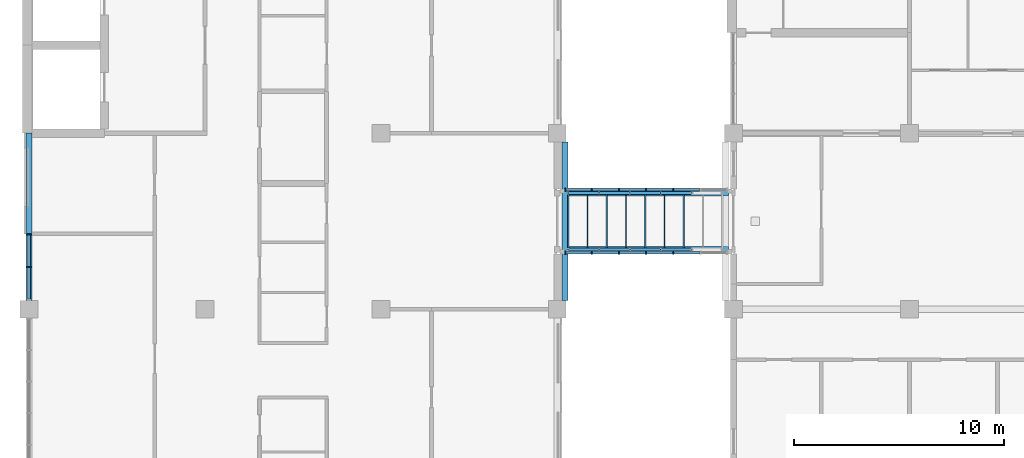
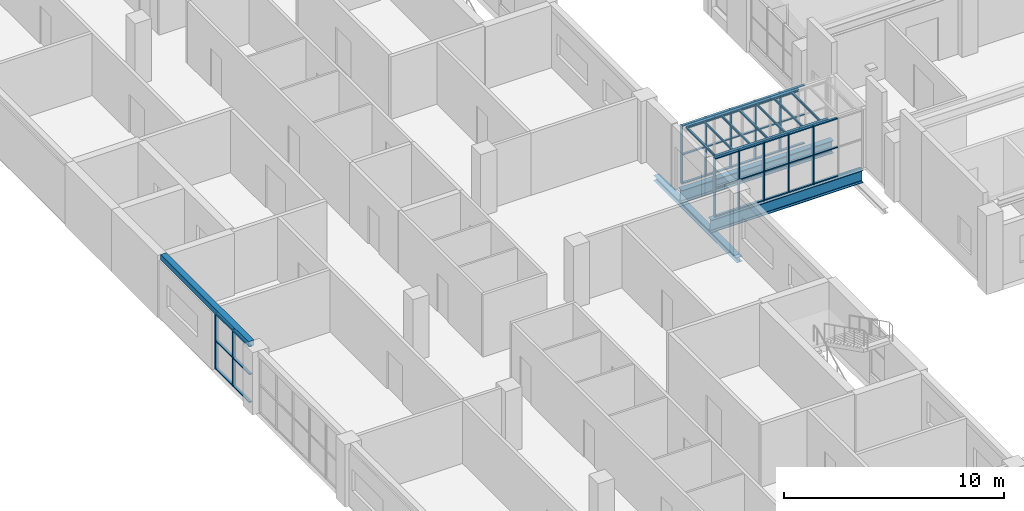
# One storey, part 27 of 94: 48 members, 19 beams, 3 elements without a shape of their own.
"""IFC4 building model written with IfcOpenShell, lengths in metres."""

from ifc_helpers import new_model, si_unit, direction, frame, origin, origin_2d, place, context, subcontext, project, spatial, rectangle, i_section, extrude, material, material_profile, profile_set, type_object, element, aggregate, save


model = new_model("IFC4")

# Units and contexts
model_context = context("Model", 3, precision=1e-05, world=origin(), true_north=direction((0.0, 1.0)))
body_context = subcontext(model_context, "Body", "Model", "MODEL_VIEW")
ifc_project = project(units=[si_unit("LENGTHUNIT", "METRE"), si_unit("AREAUNIT", "SQUARE_METRE"), si_unit("VOLUMEUNIT", "CUBIC_METRE"), si_unit("PLANEANGLEUNIT", "RADIAN"), si_unit("MASSUNIT", "GRAM", prefix="KILO")], contexts=[model_context])

# Site, building, storey
site_placement = place(None, origin())
site = spatial("IfcSite", under=ifc_project, at=site_placement, CompositionType="ELEMENT")
building_placement = place(site_placement, origin())
building = spatial("IfcBuilding", under=site, at=building_placement, Name="Yavir Park General Hospital", CompositionType="ELEMENT")
storey_placement = place(building_placement, frame((0.0, 0.0, 4.5)))
storey = spatial("IfcBuildingStorey", under=building, at=storey_placement, Name="L01", CompositionType="ELEMENT", Elevation=4.5)

# Curtain wall, members
ifc_material_1 = material(Name="Aluminium curtain wall frame with insulated glazing", Category="aluminium")
curtain_wall_type_1 = type_object("IfcCurtainWallType", Name="Bridge enclosure glazing, 3250 high, 1400 module", PredefinedType="NOTDEFINED", material=ifc_material_1)
curtain_wall_1_placement = place(storey_placement, origin())
curtain_wall_1 = element("IfcCurtainWall", 1, at=curtain_wall_1_placement, inside=storey, type_object=curtain_wall_type_1, Name="CW41 L01-007", PredefinedType="NOTDEFINED")
ifc_material_2 = material(Name="Aluminium", Category="aluminium")
ifc_material_profile_1 = material_profile(ifc_material_2, rectangle(XDim=0.159912109375, YDim=0.06005859375, at=origin_2d()), Name="AL 60x160")
ifc_profile_set_1 = profile_set([ifc_material_profile_1], Name="Aluminium")
member_type_1 = type_object("IfcMemberType", Name="Bridge enclosure glazing, 3250 high mullion 60 x 160", PredefinedType="MULLION", material=ifc_profile_set_1)
member_1_placement = place(storey_placement, frame((25.580078125, 61.5, 0.0), z_axis=(0.0, 0.0, 1.0), x_axis=(0.0, 1.0, 0.0)))
member_1 = element("IfcMember", 2, at=member_1_placement, type_object=member_type_1, Name="CW41 mullion 1", PredefinedType="MULLION", context=body_context, shape_type="SweptSolid", body=[
    extrude(rectangle(XDim=0.159912109375, YDim=0.06005859375, at=origin_2d()), origin(), (0.0, 0.0, 1.0), 3.25),
])
member_2_placement = place(storey_placement, frame((26.845947265625, 61.5, 0.0), z_axis=(0.0, 0.0, 1.0), x_axis=(0.0, 1.0, 0.0)))
member_2 = element("IfcMember", 3, at=member_2_placement, type_object=member_type_1, Name="CW41 mullion 2", PredefinedType="MULLION", context=body_context, shape_type="SweptSolid", body=[
    extrude(rectangle(XDim=0.159912109375, YDim=0.06005859375, at=origin_2d()), origin(), (0.0, 0.0, 1.0), 3.25),
])
member_3_placement = place(storey_placement, frame((28.1416015625, 61.5, 0.0), z_axis=(0.0, 0.0, 1.0), x_axis=(0.0, 1.0, 0.0)))
member_3 = element("IfcMember", 4, at=member_3_placement, type_object=member_type_1, Name="CW41 mullion 3", PredefinedType="MULLION", context=body_context, shape_type="SweptSolid", body=[
    extrude(rectangle(XDim=0.159912109375, YDim=0.06005859375, at=origin_2d()), origin(), (0.0, 0.0, 1.0), 3.25),
])
member_4_placement = place(storey_placement, frame((29.4375, 61.5, 0.0), z_axis=(0.0, 0.0, 1.0), x_axis=(0.0, 1.0, 0.0)))
member_4 = element("IfcMember", 5, at=member_4_placement, type_object=member_type_1, Name="CW41 mullion 4", PredefinedType="MULLION", context=body_context, shape_type="SweptSolid", body=[
    extrude(rectangle(XDim=0.159912109375, YDim=0.06005859375, at=origin_2d()), origin(), (0.0, 0.0, 1.0), 3.25),
])
member_5_placement = place(storey_placement, frame((30.7333984375, 61.5, 0.0), z_axis=(0.0, 0.0, 1.0), x_axis=(0.0, 1.0, 0.0)))
member_5 = element("IfcMember", 6, at=member_5_placement, type_object=member_type_1, Name="CW41 mullion 5", PredefinedType="MULLION", context=body_context, shape_type="SweptSolid", body=[
    extrude(rectangle(XDim=0.159912109375, YDim=0.06005859375, at=origin_2d()), origin(), (0.0, 0.0, 1.0), 3.25),
])

curtain_wall_2_placement = place(storey_placement, origin())
curtain_wall_2 = element("IfcCurtainWall", 7, at=curtain_wall_2_placement, inside=storey, type_object=curtain_wall_type_1, Name="CW41 L01-008", PredefinedType="NOTDEFINED")
member_6_placement = place(storey_placement, frame((25.580078125, 64.5, 0.0), z_axis=(0.0, 0.0, 1.0), x_axis=(0.0, 1.0, 0.0)))
member_6 = element("IfcMember", 8, at=member_6_placement, type_object=member_type_1, Name="CW41 mullion 1", PredefinedType="MULLION", context=body_context, shape_type="SweptSolid", body=[
    extrude(rectangle(XDim=0.159912109375, YDim=0.06005859375, at=origin_2d()), origin(), (0.0, 0.0, 1.0), 3.25),
])
member_7_placement = place(storey_placement, frame((26.845947265625, 64.5, 0.0), z_axis=(0.0, 0.0, 1.0), x_axis=(0.0, 1.0, 0.0)))
member_7 = element("IfcMember", 9, at=member_7_placement, type_object=member_type_1, Name="CW41 mullion 2", PredefinedType="MULLION", context=body_context, shape_type="SweptSolid", body=[
    extrude(rectangle(XDim=0.159912109375, YDim=0.06005859375, at=origin_2d()), origin(), (0.0, 0.0, 1.0), 3.25),
])
member_8_placement = place(storey_placement, frame((28.1416015625, 64.5, 0.0), z_axis=(0.0, 0.0, 1.0), x_axis=(0.0, 1.0, 0.0)))
member_8 = element("IfcMember", 10, at=member_8_placement, type_object=member_type_1, Name="CW41 mullion 3", PredefinedType="MULLION", context=body_context, shape_type="SweptSolid", body=[
    extrude(rectangle(XDim=0.159912109375, YDim=0.06005859375, at=origin_2d()), origin(), (0.0, 0.0, 1.0), 3.25),
])
member_9_placement = place(storey_placement, frame((29.4375, 64.5, 0.0), z_axis=(0.0, 0.0, 1.0), x_axis=(0.0, 1.0, 0.0)))
member_9 = element("IfcMember", 11, at=member_9_placement, type_object=member_type_1, Name="CW41 mullion 4", PredefinedType="MULLION", context=body_context, shape_type="SweptSolid", body=[
    extrude(rectangle(XDim=0.159912109375, YDim=0.06005859375, at=origin_2d()), origin(), (0.0, 0.0, 1.0), 3.25),
])
member_10_placement = place(storey_placement, frame((30.7333984375, 64.5, 0.0), z_axis=(0.0, 0.0, 1.0), x_axis=(0.0, 1.0, 0.0)))
member_10 = element("IfcMember", 12, at=member_10_placement, type_object=member_type_1, Name="CW41 mullion 5", PredefinedType="MULLION", context=body_context, shape_type="SweptSolid", body=[
    extrude(rectangle(XDim=0.159912109375, YDim=0.06005859375, at=origin_2d()), origin(), (0.0, 0.0, 1.0), 3.25),
])

# Member
ifc_material_3 = material(Name="Aluminium", Category="aluminium")
ifc_material_profile_2 = material_profile(ifc_material_3, rectangle(XDim=0.1201171875, YDim=0.06005859375, at=origin_2d()), Name="AL 120x60")
ifc_profile_set_2 = profile_set([ifc_material_profile_2], Name="Aluminium")
member_type_2 = type_object("IfcMemberType", Name="Bridge enclosure glazing, 3250 high transom 60 x 120", PredefinedType="MULLION", material=ifc_profile_set_2)
member_11_placement = place(storey_placement, frame((25.610107421875, 61.5, 0.030029296875), z_axis=(1.0, 0.0, 0.0), x_axis=(0.0, 1.0, 0.0)))
member_11 = element("IfcMember", 13, at=member_11_placement, type_object=member_type_2, Name="CW41 transom 1.1", PredefinedType="MULLION", context=body_context, shape_type="SweptSolid", body=[
    extrude(rectangle(XDim=0.1201171875, YDim=0.06005859375, at=origin_2d()), origin(), (0.0, 0.0, 1.0), 1.205810546875),
])

member_12_placement = place(storey_placement, frame((25.610107421875, 61.5, 1.625), z_axis=(1.0, 0.0, 0.0), x_axis=(0.0, 1.0, 0.0)))
member_12 = element("IfcMember", 14, at=member_12_placement, type_object=member_type_2, Name="CW41 transom 1.2", PredefinedType="MULLION", context=body_context, shape_type="SweptSolid", body=[
    extrude(rectangle(XDim=0.1201171875, YDim=0.06005859375, at=origin_2d()), origin(), (0.0, 0.0, 1.0), 1.205810546875),
])

member_13_placement = place(storey_placement, frame((25.610107421875, 61.5, 3.219970703125), z_axis=(1.0, 0.0, 0.0), x_axis=(0.0, 1.0, 0.0)))
member_13 = element("IfcMember", 15, at=member_13_placement, type_object=member_type_2, Name="CW41 transom 1.3", PredefinedType="MULLION", context=body_context, shape_type="SweptSolid", body=[
    extrude(rectangle(XDim=0.1201171875, YDim=0.06005859375, at=origin_2d()), origin(), (0.0, 0.0, 1.0), 1.205810546875),
])

member_14_placement = place(storey_placement, frame((26.875732421875, 61.5, 0.030029296875), z_axis=(1.0, 0.0, 0.0), x_axis=(0.0, 1.0, 0.0)))
member_14 = element("IfcMember", 16, at=member_14_placement, type_object=member_type_2, Name="CW41 transom 2.1", PredefinedType="MULLION", context=body_context, shape_type="SweptSolid", body=[
    extrude(rectangle(XDim=0.1201171875, YDim=0.06005859375, at=origin_2d()), origin(), (0.0, 0.0, 1.0), 1.23583984375),
])

member_15_placement = place(storey_placement, frame((26.875732421875, 61.5, 1.625), z_axis=(1.0, 0.0, 0.0), x_axis=(0.0, 1.0, 0.0)))
member_15 = element("IfcMember", 17, at=member_15_placement, type_object=member_type_2, Name="CW41 transom 2.2", PredefinedType="MULLION", context=body_context, shape_type="SweptSolid", body=[
    extrude(rectangle(XDim=0.1201171875, YDim=0.06005859375, at=origin_2d()), origin(), (0.0, 0.0, 1.0), 1.23583984375),
])

member_16_placement = place(storey_placement, frame((26.875732421875, 61.5, 3.219970703125), z_axis=(1.0, 0.0, 0.0), x_axis=(0.0, 1.0, 0.0)))
member_16 = element("IfcMember", 18, at=member_16_placement, type_object=member_type_2, Name="CW41 transom 2.3", PredefinedType="MULLION", context=body_context, shape_type="SweptSolid", body=[
    extrude(rectangle(XDim=0.1201171875, YDim=0.06005859375, at=origin_2d()), origin(), (0.0, 0.0, 1.0), 1.23583984375),
])

member_17_placement = place(storey_placement, frame((28.171630859375, 61.5, 0.030029296875), z_axis=(1.0, 0.0, 0.0), x_axis=(0.0, 1.0, 0.0)))
member_17 = element("IfcMember", 19, at=member_17_placement, type_object=member_type_2, Name="CW41 transom 3.1", PredefinedType="MULLION", context=body_context, shape_type="SweptSolid", body=[
    extrude(rectangle(XDim=0.1201171875, YDim=0.06005859375, at=origin_2d()), origin(), (0.0, 0.0, 1.0), 1.23583984375),
])

member_18_placement = place(storey_placement, frame((28.171630859375, 61.5, 1.625), z_axis=(1.0, 0.0, 0.0), x_axis=(0.0, 1.0, 0.0)))
member_18 = element("IfcMember", 20, at=member_18_placement, type_object=member_type_2, Name="CW41 transom 3.2", PredefinedType="MULLION", context=body_context, shape_type="SweptSolid", body=[
    extrude(rectangle(XDim=0.1201171875, YDim=0.06005859375, at=origin_2d()), origin(), (0.0, 0.0, 1.0), 1.23583984375),
])

member_19_placement = place(storey_placement, frame((28.171630859375, 61.5, 3.219970703125), z_axis=(1.0, 0.0, 0.0), x_axis=(0.0, 1.0, 0.0)))
member_19 = element("IfcMember", 21, at=member_19_placement, type_object=member_type_2, Name="CW41 transom 3.3", PredefinedType="MULLION", context=body_context, shape_type="SweptSolid", body=[
    extrude(rectangle(XDim=0.1201171875, YDim=0.06005859375, at=origin_2d()), origin(), (0.0, 0.0, 1.0), 1.23583984375),
])

member_20_placement = place(storey_placement, frame((29.467529296875, 61.5, 0.030029296875), z_axis=(1.0, 0.0, 0.0), x_axis=(0.0, 1.0, 0.0)))
member_20 = element("IfcMember", 22, at=member_20_placement, type_object=member_type_2, Name="CW41 transom 4.1", PredefinedType="MULLION", context=body_context, shape_type="SweptSolid", body=[
    extrude(rectangle(XDim=0.1201171875, YDim=0.06005859375, at=origin_2d()), origin(), (0.0, 0.0, 1.0), 1.23583984375),
])

member_21_placement = place(storey_placement, frame((29.467529296875, 61.5, 1.625), z_axis=(1.0, 0.0, 0.0), x_axis=(0.0, 1.0, 0.0)))
member_21 = element("IfcMember", 23, at=member_21_placement, type_object=member_type_2, Name="CW41 transom 4.2", PredefinedType="MULLION", context=body_context, shape_type="SweptSolid", body=[
    extrude(rectangle(XDim=0.1201171875, YDim=0.06005859375, at=origin_2d()), origin(), (0.0, 0.0, 1.0), 1.23583984375),
])

member_22_placement = place(storey_placement, frame((29.467529296875, 61.5, 3.219970703125), z_axis=(1.0, 0.0, 0.0), x_axis=(0.0, 1.0, 0.0)))
member_22 = element("IfcMember", 24, at=member_22_placement, type_object=member_type_2, Name="CW41 transom 4.3", PredefinedType="MULLION", context=body_context, shape_type="SweptSolid", body=[
    extrude(rectangle(XDim=0.1201171875, YDim=0.06005859375, at=origin_2d()), origin(), (0.0, 0.0, 1.0), 1.23583984375),
])

member_23_placement = place(storey_placement, frame((30.763427734375, 61.5, 0.030029296875), z_axis=(1.0, 0.0, 0.0), x_axis=(0.0, 1.0, 0.0)))
member_23 = element("IfcMember", 25, at=member_23_placement, type_object=member_type_2, Name="CW41 transom 5.1", PredefinedType="MULLION", context=body_context, shape_type="SweptSolid", body=[
    extrude(rectangle(XDim=0.1201171875, YDim=0.06005859375, at=origin_2d()), origin(), (0.0, 0.0, 1.0), 1.23583984375),
])

member_24_placement = place(storey_placement, frame((30.763427734375, 61.5, 1.625), z_axis=(1.0, 0.0, 0.0), x_axis=(0.0, 1.0, 0.0)))
member_24 = element("IfcMember", 26, at=member_24_placement, type_object=member_type_2, Name="CW41 transom 5.2", PredefinedType="MULLION", context=body_context, shape_type="SweptSolid", body=[
    extrude(rectangle(XDim=0.1201171875, YDim=0.06005859375, at=origin_2d()), origin(), (0.0, 0.0, 1.0), 1.23583984375),
])

member_25_placement = place(storey_placement, frame((30.763427734375, 61.5, 3.219970703125), z_axis=(1.0, 0.0, 0.0), x_axis=(0.0, 1.0, 0.0)))
member_25 = element("IfcMember", 27, at=member_25_placement, type_object=member_type_2, Name="CW41 transom 5.3", PredefinedType="MULLION", context=body_context, shape_type="SweptSolid", body=[
    extrude(rectangle(XDim=0.1201171875, YDim=0.06005859375, at=origin_2d()), origin(), (0.0, 0.0, 1.0), 1.23583984375),
])

aggregate(curtain_wall_1, [member_1, member_2, member_3, member_4, member_5, member_11, member_12, member_13, member_14, member_15, member_16, member_17, member_18, member_19, member_20, member_21, member_22, member_23, member_24, member_25])

member_26_placement = place(storey_placement, frame((25.610107421875, 64.5, 0.030029296875), z_axis=(1.0, 0.0, 0.0), x_axis=(0.0, 1.0, 0.0)))
member_26 = element("IfcMember", 28, at=member_26_placement, type_object=member_type_2, Name="CW41 transom 1.1", PredefinedType="MULLION", context=body_context, shape_type="SweptSolid", body=[
    extrude(rectangle(XDim=0.1201171875, YDim=0.06005859375, at=origin_2d()), origin(), (0.0, 0.0, 1.0), 1.205810546875),
])

member_27_placement = place(storey_placement, frame((25.610107421875, 64.5, 1.625), z_axis=(1.0, 0.0, 0.0), x_axis=(0.0, 1.0, 0.0)))
member_27 = element("IfcMember", 29, at=member_27_placement, type_object=member_type_2, Name="CW41 transom 1.2", PredefinedType="MULLION", context=body_context, shape_type="SweptSolid", body=[
    extrude(rectangle(XDim=0.1201171875, YDim=0.06005859375, at=origin_2d()), origin(), (0.0, 0.0, 1.0), 1.205810546875),
])

member_28_placement = place(storey_placement, frame((25.610107421875, 64.5, 3.219970703125), z_axis=(1.0, 0.0, 0.0), x_axis=(0.0, 1.0, 0.0)))
member_28 = element("IfcMember", 30, at=member_28_placement, type_object=member_type_2, Name="CW41 transom 1.3", PredefinedType="MULLION", context=body_context, shape_type="SweptSolid", body=[
    extrude(rectangle(XDim=0.1201171875, YDim=0.06005859375, at=origin_2d()), origin(), (0.0, 0.0, 1.0), 1.205810546875),
])

member_29_placement = place(storey_placement, frame((26.875732421875, 64.5, 0.030029296875), z_axis=(1.0, 0.0, 0.0), x_axis=(0.0, 1.0, 0.0)))
member_29 = element("IfcMember", 31, at=member_29_placement, type_object=member_type_2, Name="CW41 transom 2.1", PredefinedType="MULLION", context=body_context, shape_type="SweptSolid", body=[
    extrude(rectangle(XDim=0.1201171875, YDim=0.06005859375, at=origin_2d()), origin(), (0.0, 0.0, 1.0), 1.23583984375),
])

member_30_placement = place(storey_placement, frame((26.875732421875, 64.5, 1.625), z_axis=(1.0, 0.0, 0.0), x_axis=(0.0, 1.0, 0.0)))
member_30 = element("IfcMember", 32, at=member_30_placement, type_object=member_type_2, Name="CW41 transom 2.2", PredefinedType="MULLION", context=body_context, shape_type="SweptSolid", body=[
    extrude(rectangle(XDim=0.1201171875, YDim=0.06005859375, at=origin_2d()), origin(), (0.0, 0.0, 1.0), 1.23583984375),
])

member_31_placement = place(storey_placement, frame((26.875732421875, 64.5, 3.219970703125), z_axis=(1.0, 0.0, 0.0), x_axis=(0.0, 1.0, 0.0)))
member_31 = element("IfcMember", 33, at=member_31_placement, type_object=member_type_2, Name="CW41 transom 2.3", PredefinedType="MULLION", context=body_context, shape_type="SweptSolid", body=[
    extrude(rectangle(XDim=0.1201171875, YDim=0.06005859375, at=origin_2d()), origin(), (0.0, 0.0, 1.0), 1.23583984375),
])

member_32_placement = place(storey_placement, frame((28.171630859375, 64.5, 0.030029296875), z_axis=(1.0, 0.0, 0.0), x_axis=(0.0, 1.0, 0.0)))
member_32 = element("IfcMember", 34, at=member_32_placement, type_object=member_type_2, Name="CW41 transom 3.1", PredefinedType="MULLION", context=body_context, shape_type="SweptSolid", body=[
    extrude(rectangle(XDim=0.1201171875, YDim=0.06005859375, at=origin_2d()), origin(), (0.0, 0.0, 1.0), 1.23583984375),
])

member_33_placement = place(storey_placement, frame((28.171630859375, 64.5, 1.625), z_axis=(1.0, 0.0, 0.0), x_axis=(0.0, 1.0, 0.0)))
member_33 = element("IfcMember", 35, at=member_33_placement, type_object=member_type_2, Name="CW41 transom 3.2", PredefinedType="MULLION", context=body_context, shape_type="SweptSolid", body=[
    extrude(rectangle(XDim=0.1201171875, YDim=0.06005859375, at=origin_2d()), origin(), (0.0, 0.0, 1.0), 1.23583984375),
])

member_34_placement = place(storey_placement, frame((28.171630859375, 64.5, 3.219970703125), z_axis=(1.0, 0.0, 0.0), x_axis=(0.0, 1.0, 0.0)))
member_34 = element("IfcMember", 36, at=member_34_placement, type_object=member_type_2, Name="CW41 transom 3.3", PredefinedType="MULLION", context=body_context, shape_type="SweptSolid", body=[
    extrude(rectangle(XDim=0.1201171875, YDim=0.06005859375, at=origin_2d()), origin(), (0.0, 0.0, 1.0), 1.23583984375),
])

member_35_placement = place(storey_placement, frame((29.467529296875, 64.5, 0.030029296875), z_axis=(1.0, 0.0, 0.0), x_axis=(0.0, 1.0, 0.0)))
member_35 = element("IfcMember", 37, at=member_35_placement, type_object=member_type_2, Name="CW41 transom 4.1", PredefinedType="MULLION", context=body_context, shape_type="SweptSolid", body=[
    extrude(rectangle(XDim=0.1201171875, YDim=0.06005859375, at=origin_2d()), origin(), (0.0, 0.0, 1.0), 1.23583984375),
])

member_36_placement = place(storey_placement, frame((29.467529296875, 64.5, 1.625), z_axis=(1.0, 0.0, 0.0), x_axis=(0.0, 1.0, 0.0)))
member_36 = element("IfcMember", 38, at=member_36_placement, type_object=member_type_2, Name="CW41 transom 4.2", PredefinedType="MULLION", context=body_context, shape_type="SweptSolid", body=[
    extrude(rectangle(XDim=0.1201171875, YDim=0.06005859375, at=origin_2d()), origin(), (0.0, 0.0, 1.0), 1.23583984375),
])

member_37_placement = place(storey_placement, frame((29.467529296875, 64.5, 3.219970703125), z_axis=(1.0, 0.0, 0.0), x_axis=(0.0, 1.0, 0.0)))
member_37 = element("IfcMember", 39, at=member_37_placement, type_object=member_type_2, Name="CW41 transom 4.3", PredefinedType="MULLION", context=body_context, shape_type="SweptSolid", body=[
    extrude(rectangle(XDim=0.1201171875, YDim=0.06005859375, at=origin_2d()), origin(), (0.0, 0.0, 1.0), 1.23583984375),
])

member_38_placement = place(storey_placement, frame((30.763427734375, 64.5, 0.030029296875), z_axis=(1.0, 0.0, 0.0), x_axis=(0.0, 1.0, 0.0)))
member_38 = element("IfcMember", 40, at=member_38_placement, type_object=member_type_2, Name="CW41 transom 5.1", PredefinedType="MULLION", context=body_context, shape_type="SweptSolid", body=[
    extrude(rectangle(XDim=0.1201171875, YDim=0.06005859375, at=origin_2d()), origin(), (0.0, 0.0, 1.0), 1.23583984375),
])

member_39_placement = place(storey_placement, frame((30.763427734375, 64.5, 1.625), z_axis=(1.0, 0.0, 0.0), x_axis=(0.0, 1.0, 0.0)))
member_39 = element("IfcMember", 41, at=member_39_placement, type_object=member_type_2, Name="CW41 transom 5.2", PredefinedType="MULLION", context=body_context, shape_type="SweptSolid", body=[
    extrude(rectangle(XDim=0.1201171875, YDim=0.06005859375, at=origin_2d()), origin(), (0.0, 0.0, 1.0), 1.23583984375),
])

member_40_placement = place(storey_placement, frame((30.763427734375, 64.5, 3.219970703125), z_axis=(1.0, 0.0, 0.0), x_axis=(0.0, 1.0, 0.0)))
member_40 = element("IfcMember", 42, at=member_40_placement, type_object=member_type_2, Name="CW41 transom 5.3", PredefinedType="MULLION", context=body_context, shape_type="SweptSolid", body=[
    extrude(rectangle(XDim=0.1201171875, YDim=0.06005859375, at=origin_2d()), origin(), (0.0, 0.0, 1.0), 1.23583984375),
])

aggregate(curtain_wall_2, [member_6, member_7, member_8, member_9, member_10, member_26, member_27, member_28, member_29, member_30, member_31, member_32, member_33, member_34, member_35, member_36, member_37, member_38, member_39, member_40])

# Beams
ifc_material_4 = material(Name="Steel S355", Category="steel")
ifc_material_profile_3 = material_profile(ifc_material_4, i_section(OverallWidth=0.139892578125, OverallDepth=0.133056640625, WebThickness=0.005615234375, FlangeThickness=0.008544921875, FilletRadius=0.011962890625, at=origin_2d()), Name="HEA140")
ifc_profile_set_3 = profile_set([ifc_material_profile_3], Name="Steel S355")
beam_type_1 = type_object("IfcBeamType", Name="HEA 140 roof edge beam", PredefinedType="BEAM", material=ifc_profile_set_3)
for number, where, z_axis, x_axis, name in (
    (43, (25.72509765625, 61.64990234375, 3.18359375), (1.0, 0.0, 0.0), (0.0, 1.0, 0.0), "RF:BRW:frame:E:00"),
    (44, (27.195068359375, 61.64990234375, 3.18359375), (1.0, 0.0, 0.0), (0.0, 1.0, 0.0), "RF:BRW:frame:E:01"),
    (45, (28.6650390625, 61.64990234375, 3.18359375), (1.0, 0.0, 0.0), (0.0, 1.0, 0.0), "RF:BRW:frame:E:02"),
    (46, (30.135009765625, 61.64990234375, 3.18359375), (1.0, 0.0, 0.0), (0.0, 1.0, 0.0), "RF:BRW:frame:E:03"),
    (47, (25.72509765625, 64.35009765625, 3.18359375), (1.0, 0.0, 0.0), (0.0, 1.0, 0.0), "RF:BRW:frame:E:10"),
    (48, (27.195068359375, 64.35009765625, 3.18359375), (1.0, 0.0, 0.0), (0.0, 1.0, 0.0), "RF:BRW:frame:E:11"),
    (49, (28.6650390625, 64.35009765625, 3.18359375), (1.0, 0.0, 0.0), (0.0, 1.0, 0.0), "RF:BRW:frame:E:12"),
    (50, (30.135009765625, 64.35009765625, 3.18359375), (1.0, 0.0, 0.0), (0.0, 1.0, 0.0), "RF:BRW:frame:E:13"),
):
    element("IfcBeam", number, at=place(storey_placement, frame(where, z_axis=z_axis, x_axis=x_axis)), inside=storey, type_object=beam_type_1, Name=name, PredefinedType="BEAM", context=body_context, shape_type="SweptSolid", body=[
        extrude(i_section(OverallWidth=0.139892578125, OverallDepth=0.133056640625, WebThickness=0.005615234375, FlangeThickness=0.008544921875, FilletRadius=0.011962890625, at=origin_2d()), origin(), (0.0, 0.0, 1.0), 1.469970703125),
    ])
ifc_material_5 = material(Name="Steel S355", Category="steel")
ifc_material_profile_4 = material_profile(ifc_material_5, i_section(OverallWidth=0.300048828125, OverallDepth=0.2900390625, WebThickness=0.008544921875, FlangeThickness=0.013916015625, FilletRadius=0.027099609375, at=origin_2d()), Name="HEA300")
ifc_profile_set_4 = profile_set([ifc_material_profile_4], Name="Steel S355")
beam_type_2 = type_object("IfcBeamType", Name="HEA 300 bridge head beam", PredefinedType="BEAM", material=ifc_profile_set_4)
beam_1_placement = place(storey_placement, frame((25.574951171875, 59.22509765625, -0.9951171875), z_axis=(0.0, 1.0, 0.0), x_axis=(-1.0, 0.0, 0.0)))
element("IfcBeam", 51, at=beam_1_placement, inside=storey, type_object=beam_type_2, Name="B:BR_W:H0", PredefinedType="BEAM", context=body_context, shape_type="SweptSolid", body=[
    extrude(i_section(OverallWidth=0.300048828125, OverallDepth=0.2900390625, WebThickness=0.008544921875, FlangeThickness=0.013916015625, FilletRadius=0.027099609375, at=origin_2d()), origin(), (0.0, 0.0, 1.0), 7.5498046875),
])
ifc_material_6 = material(Name="Steel S355", Category="steel")
ifc_material_profile_5 = material_profile(ifc_material_6, i_section(OverallWidth=0.300048828125, OverallDepth=0.699951171875, WebThickness=0.01708984375, FlangeThickness=0.031982421875, FilletRadius=0.027099609375, at=origin_2d()), Name="HEB700")
ifc_profile_set_5 = profile_set([ifc_material_profile_5], Name="Steel S355")
beam_type_3 = type_object("IfcBeamType", Name="HEB 700 bridge girder", PredefinedType="BEAM", material=ifc_profile_set_5)
for number, where, z_axis, x_axis, name in (
    (52, (25.425048828125, 61.64990234375, -0.5), (1.0, 0.0, 0.0), (0.0, 1.0, 0.0), "B:BR_W:G0:0"),
    (53, (25.425048828125, 64.35009765625, -0.5), (1.0, 0.0, 0.0), (0.0, 1.0, 0.0), "B:BR_W:G1:0"),
):
    element("IfcBeam", number, at=place(storey_placement, frame(where, z_axis=z_axis, x_axis=x_axis)), inside=storey, type_object=beam_type_3, Name=name, PredefinedType="BEAM", context=body_context, shape_type="SweptSolid", body=[
        extrude(i_section(OverallWidth=0.300048828125, OverallDepth=0.699951171875, WebThickness=0.01708984375, FlangeThickness=0.031982421875, FilletRadius=0.027099609375, at=origin_2d()), origin(), (0.0, 0.0, 1.0), 7.949951171875),
    ])
ifc_material_7 = material(Name="Steel S355", Category="steel")
ifc_material_profile_6 = material_profile(ifc_material_7, i_section(OverallWidth=0.06396484375, OverallDepth=0.1201171875, WebThickness=0.00439453125, FlangeThickness=0.00634765625, FilletRadius=0.007080078125, at=origin_2d()), Name="IPE120")
ifc_profile_set_6 = profile_set([ifc_material_profile_6], Name="Steel S355")
beam_type_4 = type_object("IfcBeamType", Name="IPE 120 roof cross beam", PredefinedType="JOIST", material=ifc_profile_set_6)
for number, where, z_axis, x_axis, name in (
    (54, (25.72509765625, 61.719970703125, 3.18994140625), (0.0, 1.0, 0.0), (-1.0, 0.0, 0.0), "RF:BRW:frame:C:0"),
    (55, (26.643798828125, 61.719970703125, 3.18994140625), (0.0, 1.0, 0.0), (-1.0, 0.0, 0.0), "RF:BRW:frame:C:1"),
    (56, (27.5625, 61.719970703125, 3.18994140625), (0.0, 1.0, 0.0), (-1.0, 0.0, 0.0), "RF:BRW:frame:C:2"),
    (57, (28.481201171875, 61.719970703125, 3.18994140625), (0.0, 1.0, 0.0), (-1.0, 0.0, 0.0), "RF:BRW:frame:C:3"),
    (58, (29.39990234375, 61.719970703125, 3.18994140625), (0.0, 1.0, 0.0), (-1.0, 0.0, 0.0), "RF:BRW:frame:C:4"),
    (59, (30.31884765625, 61.719970703125, 3.18994140625), (0.0, 1.0, 0.0), (-1.0, 0.0, 0.0), "RF:BRW:frame:C:5"),
    (60, (31.237548828125, 61.719970703125, 3.18994140625), (0.0, 1.0, 0.0), (-1.0, 0.0, 0.0), "RF:BRW:frame:C:6"),
):
    element("IfcBeam", number, at=place(storey_placement, frame(where, z_axis=z_axis, x_axis=x_axis)), inside=storey, type_object=beam_type_4, Name=name, PredefinedType="JOIST", context=body_context, shape_type="SweptSolid", body=[
        extrude(i_section(OverallWidth=0.06396484375, OverallDepth=0.1201171875, WebThickness=0.00439453125, FlangeThickness=0.00634765625, FilletRadius=0.007080078125, at=origin_2d()), origin(), (0.0, 0.0, 1.0), 2.56005859375),
    ])

# Curtain wall, members
ifc_material_8 = material(Name="Aluminium curtain wall frame with insulated glazing", Category="aluminium")
curtain_wall_type_2 = type_object("IfcCurtainWallType", Name="Pool hall glazing, 3150 high, 1400 module", PredefinedType="NOTDEFINED", material=ifc_material_8)
curtain_wall_3_placement = place(storey_placement, origin())
curtain_wall_3 = element("IfcCurtainWall", 61, at=curtain_wall_3_placement, inside=storey, type_object=curtain_wall_type_2, Name="CW20 L01-018", PredefinedType="NOTDEFINED")
ifc_material_9 = material(Name="Aluminium", Category="aluminium")
ifc_material_profile_7 = material_profile(ifc_material_9, rectangle(XDim=0.179931640625, YDim=0.06005859375, at=origin_2d()), Name="AL 60x180")
ifc_profile_set_7 = profile_set([ifc_material_profile_7], Name="Aluminium")
member_type_3 = type_object("IfcMemberType", Name="Pool hall glazing, 3150 high mullion 60 x 180", PredefinedType="MULLION", material=ifc_profile_set_7)
member_41_placement = place(storey_placement, frame((0.0, 60.8125, 0.0), z_axis=(0.0, 0.0, 1.0), x_axis=(-1.0, 0.0, 0.0)))
member_41 = element("IfcMember", 62, at=member_41_placement, type_object=member_type_3, Name="CW20 mullion 2", PredefinedType="MULLION", context=body_context, shape_type="SweptSolid", body=[
    extrude(rectangle(XDim=0.179931640625, YDim=0.06005859375, at=origin_2d()), origin(), (0.0, 0.0, 1.0), 3.14990234375),
])
member_42_placement = place(storey_placement, frame((0.0, 62.3701171875, 0.0), z_axis=(0.0, 0.0, 1.0), x_axis=(-1.0, 0.0, 0.0)))
member_42 = element("IfcMember", 63, at=member_42_placement, type_object=member_type_3, Name="CW20 mullion 3", PredefinedType="MULLION", context=body_context, shape_type="SweptSolid", body=[
    extrude(rectangle(XDim=0.179931640625, YDim=0.06005859375, at=origin_2d()), origin(), (0.0, 0.0, 1.0), 3.14990234375),
])
ifc_material_10 = material(Name="Aluminium", Category="aluminium")
ifc_material_profile_8 = material_profile(ifc_material_10, rectangle(XDim=0.139892578125, YDim=0.06005859375, at=origin_2d()), Name="AL 140x60")
ifc_profile_set_8 = profile_set([ifc_material_profile_8], Name="Aluminium")
member_type_4 = type_object("IfcMemberType", Name="Pool hall glazing, 3150 high transom 60 x 140", PredefinedType="MULLION", material=ifc_profile_set_8)
member_43_placement = place(storey_placement, frame((0.0, 59.284912109375, 0.030029296875), z_axis=(0.0, 1.0, 0.0), x_axis=(-1.0, 0.0, 0.0)))
member_43 = element("IfcMember", 64, at=member_43_placement, type_object=member_type_4, Name="CW20 transom 1.1", PredefinedType="MULLION", context=body_context, shape_type="SweptSolid", body=[
    extrude(rectangle(XDim=0.139892578125, YDim=0.06005859375, at=origin_2d()), origin(), (0.0, 0.0, 1.0), 1.49755859375),
])
member_44_placement = place(storey_placement, frame((0.0, 59.284912109375, 1.574951171875), z_axis=(0.0, 1.0, 0.0), x_axis=(-1.0, 0.0, 0.0)))
member_44 = element("IfcMember", 65, at=member_44_placement, type_object=member_type_4, Name="CW20 transom 1.2", PredefinedType="MULLION", context=body_context, shape_type="SweptSolid", body=[
    extrude(rectangle(XDim=0.139892578125, YDim=0.06005859375, at=origin_2d()), origin(), (0.0, 0.0, 1.0), 1.49755859375),
])
member_45_placement = place(storey_placement, frame((0.0, 59.284912109375, 3.1201171875), z_axis=(0.0, 1.0, 0.0), x_axis=(-1.0, 0.0, 0.0)))
member_45 = element("IfcMember", 66, at=member_45_placement, type_object=member_type_4, Name="CW20 transom 1.3", PredefinedType="MULLION", context=body_context, shape_type="SweptSolid", body=[
    extrude(rectangle(XDim=0.139892578125, YDim=0.06005859375, at=origin_2d()), origin(), (0.0, 0.0, 1.0), 1.49755859375),
])
member_46_placement = place(storey_placement, frame((0.0, 60.842529296875, 0.030029296875), z_axis=(0.0, 1.0, 0.0), x_axis=(-1.0, 0.0, 0.0)))
member_46 = element("IfcMember", 67, at=member_46_placement, type_object=member_type_4, Name="CW20 transom 2.1", PredefinedType="MULLION", context=body_context, shape_type="SweptSolid", body=[
    extrude(rectangle(XDim=0.139892578125, YDim=0.06005859375, at=origin_2d()), origin(), (0.0, 0.0, 1.0), 1.49755859375),
])
member_47_placement = place(storey_placement, frame((0.0, 60.842529296875, 1.574951171875), z_axis=(0.0, 1.0, 0.0), x_axis=(-1.0, 0.0, 0.0)))
member_47 = element("IfcMember", 68, at=member_47_placement, type_object=member_type_4, Name="CW20 transom 2.2", PredefinedType="MULLION", context=body_context, shape_type="SweptSolid", body=[
    extrude(rectangle(XDim=0.139892578125, YDim=0.06005859375, at=origin_2d()), origin(), (0.0, 0.0, 1.0), 1.49755859375),
])
member_48_placement = place(storey_placement, frame((0.0, 60.842529296875, 3.1201171875), z_axis=(0.0, 1.0, 0.0), x_axis=(-1.0, 0.0, 0.0)))
member_48 = element("IfcMember", 69, at=member_48_placement, type_object=member_type_4, Name="CW20 transom 2.3", PredefinedType="MULLION", context=body_context, shape_type="SweptSolid", body=[
    extrude(rectangle(XDim=0.139892578125, YDim=0.06005859375, at=origin_2d()), origin(), (0.0, 0.0, 1.0), 1.49755859375),
])
aggregate(curtain_wall_3, [member_41, member_42, member_43, member_44, member_45, member_46, member_47, member_48])

# Beam
ifc_material_11 = material(Name="Concrete C35/45", Category="concrete")
ifc_material_profile_9 = material_profile(ifc_material_11, rectangle(XDim=0.300048828125, YDim=0.300048828125, at=origin_2d()), Name="RC300x300")
ifc_profile_set_9 = profile_set([ifc_material_profile_9], Name="Concrete C35/45")
beam_type_5 = type_object("IfcBeamType", Name="RC BEAM 300x300 edge beam", PredefinedType="BEAM", material=ifc_profile_set_9)
beam_2_placement = place(storey_placement, frame((0.0, 59.22509765625, 3.300048828125), z_axis=(0.0, 1.0, 0.0), x_axis=(-1.0, 0.0, 0.0)))
element("IfcBeam", 70, at=beam_2_placement, inside=storey, type_object=beam_type_5, Name="B:EDGE:L01:036", PredefinedType="BEAM", context=body_context, shape_type="SweptSolid", body=[
    extrude(rectangle(XDim=0.300048828125, YDim=0.300048828125, at=origin_2d()), origin(), (0.0, 0.0, 1.0), 7.974853515625),
])

save(model, "model.ifc")
